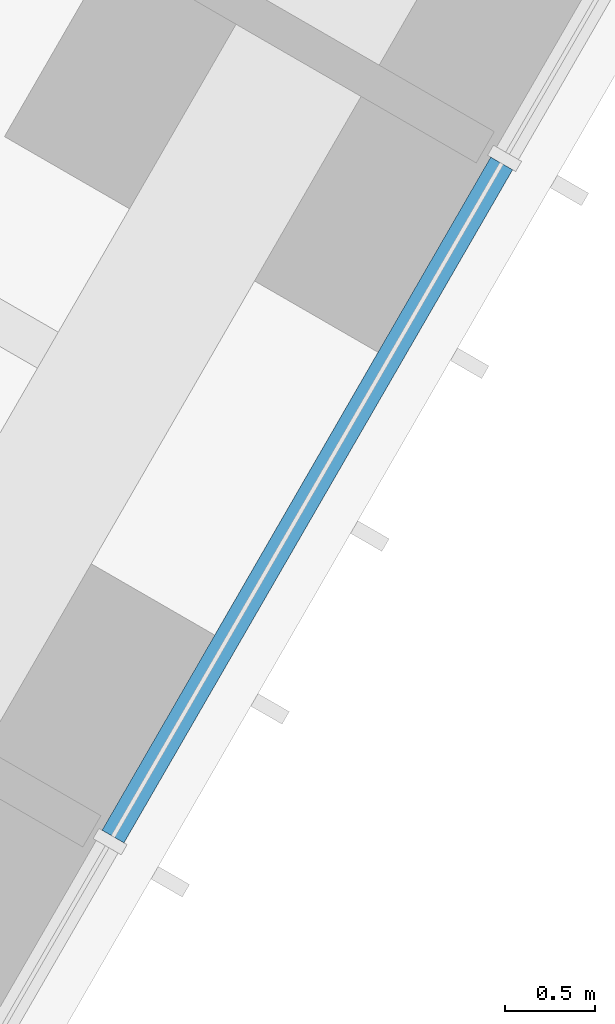
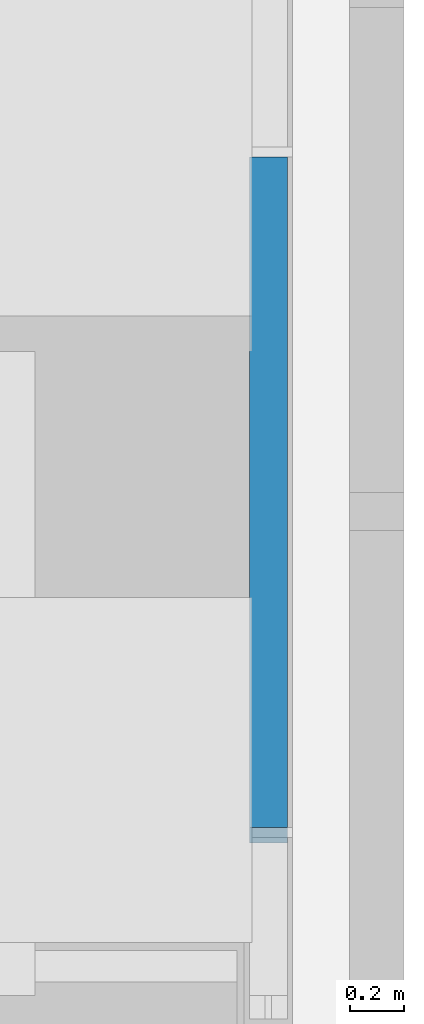
# One storey, part 107 of 256: 1 member, 1 element without a shape of its own.
"""IFC4 building model written with IfcOpenShell, lengths in metres."""

from ifc_helpers import new_model, si_unit, direction, frame, origin, origin_2d, place, context, subcontext, project, spatial, rectangle, extrude, material, material_profile, profile_set, type_object, element, aggregate, save


model = new_model("IFC4")

# Units and contexts
model_context = context("Model", 3, precision=1e-05, world=origin(), true_north=direction((0.0, 1.0)))
body_context = subcontext(model_context, "Body", "Model", "MODEL_VIEW")
ifc_project = project(units=[si_unit("LENGTHUNIT", "METRE"), si_unit("AREAUNIT", "SQUARE_METRE"), si_unit("VOLUMEUNIT", "CUBIC_METRE"), si_unit("PLANEANGLEUNIT", "RADIAN"), si_unit("MASSUNIT", "GRAM", prefix="KILO")], contexts=[model_context])

# Site, building, storey
site_placement = place(None, origin())
site = spatial("IfcSite", under=ifc_project, at=site_placement, CompositionType="ELEMENT")
building_placement = place(site_placement, origin())
building = spatial("IfcBuilding", under=site, at=building_placement, Name="Sandreach Pilgrim Tower", CompositionType="ELEMENT")
storey_placement = place(building_placement, frame((0.0, 0.0, 23.0)))
storey = spatial("IfcBuildingStorey", under=building, at=storey_placement, Name="L04", CompositionType="ELEMENT", Elevation=23.0)

# Curtain wall, member
ifc_material_1 = material(Name="Aluminium framed curtain wall", Category="aluminium")
curtain_wall_type = type_object("IfcCurtainWallType", Name="Hostel tower curtain wall", PredefinedType="NOTDEFINED", material=ifc_material_1)
curtain_wall_placement = place(storey_placement, origin())
curtain_wall = element("IfcCurtainWall", 1, at=curtain_wall_placement, inside=storey, type_object=curtain_wall_type, Name="CW-1 L04 SE", PredefinedType="NOTDEFINED")
ifc_material_2 = material(Name="Aluminium extrusion", Category="aluminium")
ifc_material_profile = material_profile(ifc_material_2, rectangle(XDim=0.139892578125, YDim=0.070068359375, at=origin_2d()), Name="CW-1T 140X70")
ifc_profile_set = profile_set([ifc_material_profile], Name="Aluminium extrusion")
member_type = type_object("IfcMemberType", Name="CW-1 transom", PredefinedType="USERDEFINED", material=ifc_profile_set)
member_placement = place(storey_placement, frame((21.81689453125, -10.109619140625, 3.60498046875), z_axis=(-0.500016891966, -0.866015650984, 0.0), x_axis=(0.866015650984, -0.500016891966, 0.0)))
member = element("IfcMember", 2, at=member_placement, type_object=member_type, Name="CW-1 head transom 5", ObjectType="TRANSOM", PredefinedType="USERDEFINED", context=body_context, shape_type="SweptSolid", body=[
    extrude(rectangle(XDim=0.139892578125, YDim=0.070068359375, at=origin_2d()), origin(), (0.0, 0.0, 1.0), 4.306396484375),
])
aggregate(curtain_wall, [member])

save(model, "model.ifc")
